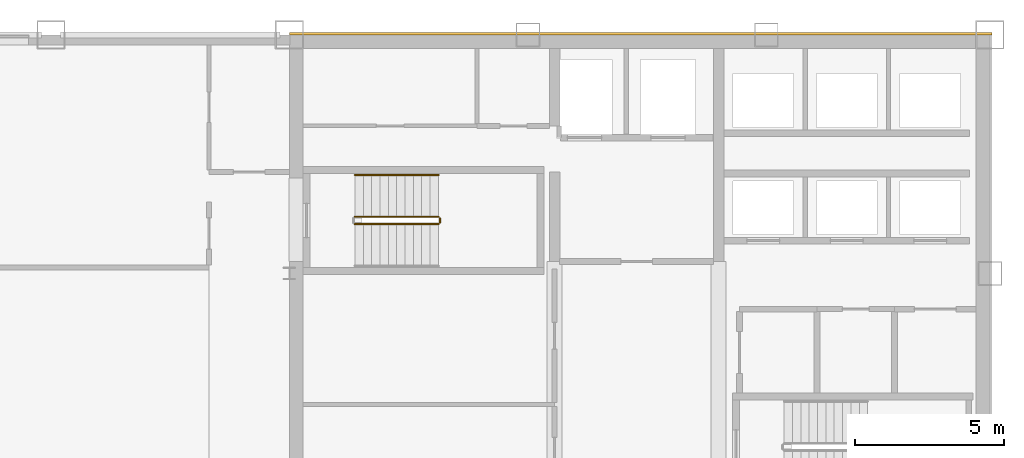
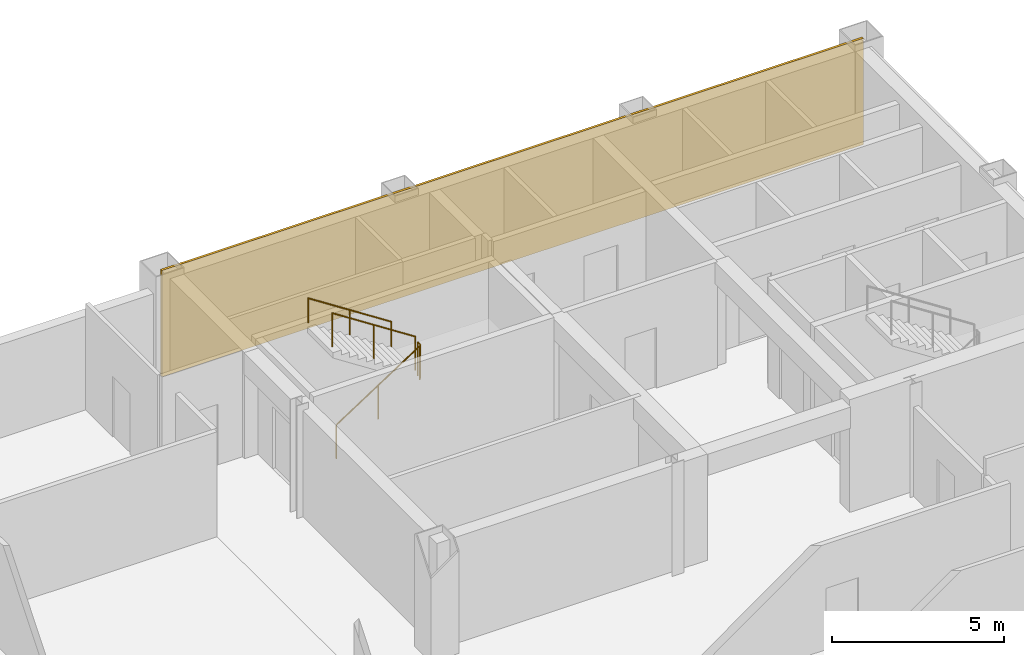
# One storey, part 14 of 14: 4 railings, 1 covering.
"""IFC4 building model written with IfcOpenShell, lengths in metres."""

import ifcopenshell
import ifcopenshell.guid

model = None  # the IFC model being written
_history = None  # IfcOwnerHistory: only IFC2X3 demands one
_inside = {}  # id of a spatial element -> (the spatial element, [elements in it])
_under = {}  # id of a project, library or spatial element -> (it, [spatial elements below it])
_declared = {}  # id of a project -> (the project, [libraries it declares])
_typed = {}  # id of a type object -> (the type object, [elements of that type])
_made_of = {}  # id of a material, layer set ... -> (it, [elements and type objects made of it])


def new_model(schema):
    """Start an empty IFC model of exactly this schema.

    Asked for "IFC4X3", IfcOpenShell would pick the latest addendum, in which some entities
    have other attributes; the version numbers below select the first issue.
    IFC2X3 requires an IfcOwnerHistory on every rooted entity: one is made here for all.
    """
    global model, _history
    if schema == "IFC4X3":
        model = ifcopenshell.file(schema_version=(4, 3, 0, 0))
    else:
        model = ifcopenshell.file(schema=schema)
    _inside.clear()
    _under.clear()
    _declared.clear()
    _typed.clear()
    _made_of.clear()
    _history = None
    if model.schema == "IFC2X3":
        org = make("IfcOrganization", Name="unknown")
        user = make(
            "IfcPersonAndOrganization",
            ThePerson=make("IfcPerson", FamilyName="unknown"),
            TheOrganization=org,
        )
        app = make(
            "IfcApplication",
            ApplicationDeveloper=org,
            Version="unknown",
            ApplicationFullName="unknown",
            ApplicationIdentifier="unknown",
        )
        _history = make(
            "IfcOwnerHistory",
            OwningUser=user,
            OwningApplication=app,
            ChangeAction="ADDED",
            CreationDate=0,
        )
    return model


def make(cls, **values):
    """One entity of the class cls with the attributes given. An attribute that is None is left unset."""
    return model.create_entity(
        cls, **{name: value for name, value in values.items() if value is not None}
    )


def rooted(cls, **values):
    """An entity with a GlobalId (a new one), such as an element, a storey or a relation."""
    return make(cls, GlobalId=ifcopenshell.guid.new(), OwnerHistory=_history, **values)


def si_unit(unit_type, name, prefix=None):
    """IfcSIUnit, for example si_unit("LENGTHUNIT", "METRE", prefix="MILLI")."""
    return make("IfcSIUnit", UnitType=unit_type, Prefix=prefix, Name=name)


def assignment(units):
    """IfcUnitAssignment: the units of a project."""
    return None if units is None else make("IfcUnitAssignment", Units=units)


def point(xyz):
    """IfcCartesianPoint."""
    return None if xyz is None else make("IfcCartesianPoint", Coordinates=xyz)


def direction(xyz):
    """IfcDirection."""
    return None if xyz is None else make("IfcDirection", DirectionRatios=xyz)


def frame(location, z_axis=None, x_axis=None):
    """IfcAxis2Placement3D, a coordinate frame: its origin and axes. An axis left out is left unset."""
    return make(
        "IfcAxis2Placement3D",
        Location=point(location),
        Axis=direction(z_axis),
        RefDirection=direction(x_axis),
    )


def frame_2d(location, x_axis=None):
    """IfcAxis2Placement2D, a coordinate frame in the plane: its origin and x axis."""
    return make(
        "IfcAxis2Placement2D", Location=point(location), RefDirection=direction(x_axis)
    )


def origin():
    """The frame at (0, 0, 0) with its axes left unset."""
    return frame((0.0, 0.0, 0.0))


def origin_2d():
    """The frame at (0, 0) in the plane with its x axis left unset."""
    return frame_2d((0.0, 0.0))


def place(relative_to, where):
    """IfcLocalPlacement: puts the frame where relative to a parent placement (None: the world)."""
    return make(
        "IfcLocalPlacement", PlacementRelTo=relative_to, RelativePlacement=where
    )


def context(
    kind, dimensions, precision=None, world=None, true_north=None, identifier=None
):
    """IfcGeometricRepresentationContext, for example the 3D "Model" context."""
    return make(
        "IfcGeometricRepresentationContext",
        ContextIdentifier=identifier,
        ContextType=kind,
        CoordinateSpaceDimension=dimensions,
        Precision=precision,
        WorldCoordinateSystem=world,
        TrueNorth=true_north,
    )


def subcontext(parent, identifier, kind, view, scale=None):
    """IfcGeometricRepresentationSubContext, for example "Body" below "Model"."""
    return make(
        "IfcGeometricRepresentationSubContext",
        ContextIdentifier=identifier,
        ContextType=kind,
        ParentContext=parent,
        TargetScale=scale,
        TargetView=view,
    )


def project(units=None, contexts=None):
    """IfcProject with its units and contexts."""
    return rooted(
        "IfcProject",
        Name="project",
        RepresentationContexts=contexts,
        UnitsInContext=assignment(units),
    )


def spatial(cls, under=None, at=None, **own):
    """A site, building, storey or space (cls), placed at a placement, below another one or the project."""
    s = rooted(cls, ObjectPlacement=at, **own)
    if under is not None:
        _under.setdefault(under.id(), (under, []))[1].append(s)
    return s


def profile(cls, at=None, kind="AREA", **sizes):
    """A parametric profile (cls). Its sizes go by their IFC names, for example OverallWidth=200.0."""
    return make(cls, ProfileType=kind, Position=at, **sizes)


def rectangle(**sizes):
    """IfcRectangleProfileDef."""
    return profile("IfcRectangleProfileDef", **sizes)


def circle(**sizes):
    """IfcCircleProfileDef."""
    return profile("IfcCircleProfileDef", **sizes)


def extrude(swept, where, along, depth):
    """IfcExtrudedAreaSolid: the profile swept, set in the frame where, extruded along a direction by depth."""
    return make(
        "IfcExtrudedAreaSolid",
        SweptArea=swept,
        Position=where,
        ExtrudedDirection=direction(along),
        Depth=depth,
    )


def shape(context_of_items, identifier, shape_type, items):
    """IfcShapeRepresentation: the items that make up one representation, for example the "Body"."""
    return make(
        "IfcShapeRepresentation",
        ContextOfItems=context_of_items,
        RepresentationIdentifier=identifier,
        RepresentationType=shape_type,
        Items=items,
    )


def material(Name=None, Category=None):
    """IfcMaterial."""
    return make("IfcMaterial", Name=Name, Category=Category)


def layer(
    of_material, thickness, ventilated=None, Name=None, Category=None, Priority=None
):
    """IfcMaterialLayer: one layer of a wall or slab, of a material (None: an air gap)."""
    return make(
        "IfcMaterialLayer",
        Material=of_material,
        LayerThickness=thickness,
        IsVentilated=ventilated,
        Name=Name,
        Category=Category,
        Priority=Priority,
    )


def layer_set(layers, Name=None):
    """IfcMaterialLayerSet."""
    return make("IfcMaterialLayerSet", MaterialLayers=layers, LayerSetName=Name)


def made_of(thing, what):
    """Note that an element or type object is made of a material, layer set ...; save() writes the relation."""
    if what is not None:
        _made_of.setdefault(what.id(), (what, []))[1].append(thing)
    return thing


def type_object(cls, material=None, **own):
    """A type object (cls), such as IfcWallType, which elements share."""
    return made_of(rooted(cls, **own), material)


def element(
    cls,
    number,
    at=None,
    inside=None,
    cuts=None,
    type_object=None,
    material=None,
    context=None,
    identifier="Body",
    shape_type=None,
    held_by="IfcProductDefinitionShape",
    body=None,
    shapes=None,
    **own,
):
    """One element of the class cls, such as IfcWall. Its Tag is "e" and its number.

    at: its placement. inside: the storey or other place that contains it. cuts: it is an
    opening in that element (IfcRelVoidsElement). A single representation is given by context,
    identifier, shape_type and body (its items); several are given by shapes. held_by: the class
    of the entity that holds the representations. save() writes the other relations.
    """
    e = rooted(cls, Tag="e%d" % number, ObjectPlacement=at, **own)
    if body is not None:
        shapes = [shape(context, identifier, shape_type, body)]
    if shapes is not None:
        e.Representation = make(held_by, Representations=shapes)
    if inside is not None:
        _inside.setdefault(inside.id(), (inside, []))[1].append(e)
    if cuts is not None:
        rooted(
            "IfcRelVoidsElement", RelatingBuildingElement=cuts, RelatedOpeningElement=e
        )
    if type_object is not None:
        _typed.setdefault(type_object.id(), (type_object, []))[1].append(e)
    return made_of(e, material)


def aggregate(whole, parts):
    """IfcRelAggregates: a whole, such as a stair, and the parts it consists of."""
    return rooted("IfcRelAggregates", RelatingObject=whole, RelatedObjects=parts)


def save(model, path):
    """Write the relations noted so far, then the file.

    IfcRelAggregates (storeys below a building ...), IfcRelContainedInSpatialStructure (elements
    in a storey), IfcRelDefinesByType, IfcRelAssociatesMaterial and IfcRelDeclares: one each for
    every whole, place, type object, material and project.
    """
    for whole, parts in _under.values():
        aggregate(whole, parts)
    for where, things in _inside.values():
        rooted(
            "IfcRelContainedInSpatialStructure",
            RelatedElements=things,
            RelatingStructure=where,
        )
    for kind, things in _typed.values():
        rooted("IfcRelDefinesByType", RelatedObjects=things, RelatingType=kind)
    for what, things in _made_of.values():
        rooted("IfcRelAssociatesMaterial", RelatedObjects=things, RelatingMaterial=what)
    for by, libraries in _declared.values():
        rooted("IfcRelDeclares", RelatingContext=by, RelatedDefinitions=libraries)
    model.write(path)


model = new_model("IFC4")

# Units and contexts
model_context = context("Model", 3, precision=1e-05, world=origin(), true_north=direction((0.0, 1.0)))
body_context = subcontext(model_context, "Body", "Model", "MODEL_VIEW")
ifc_project = project(units=[si_unit("LENGTHUNIT", "METRE"), si_unit("AREAUNIT", "SQUARE_METRE"), si_unit("VOLUMEUNIT", "CUBIC_METRE"), si_unit("PLANEANGLEUNIT", "RADIAN"), si_unit("MASSUNIT", "GRAM", prefix="KILO")], contexts=[model_context])

# Site, building, storey
site_placement = place(None, origin())
site = spatial("IfcSite", under=ifc_project, at=site_placement, CompositionType="ELEMENT")
building_placement = place(site_placement, origin())
building = spatial("IfcBuilding", under=site, at=building_placement, Name="Qianrong Seaharbour Tower", CompositionType="ELEMENT")
storey_placement = place(building_placement, frame((0.0, 0.0, 209.800048828125)))
storey = spatial("IfcBuildingStorey", under=building, at=storey_placement, Name="L50", CompositionType="ELEMENT", Elevation=209.800048828125)

# Covering
ifc_material_1 = material(Name="Unitised red brick cladding on Precast concrete C45/55", Category="masonry")
ifc_layer = layer(ifc_material_1, 0.080078125)
ifc_layer_set = layer_set([ifc_layer], Name="Unitised red brick cladding on Precast concrete C45/55")
covering_type = type_object("IfcCoveringType", Name="COV-CLAD-RED-BRICK-80", PredefinedType="CLADDING", material=ifc_layer_set)
covering_placement = place(storey_placement, frame((52.2900390625, 52.0400390625, 0.0), z_axis=(0.0, 0.0, 1.0), x_axis=(1.0, 0.0, 0.0)))
element("IfcCovering", 1, at=covering_placement, inside=storey, type_object=covering_type, Name="L50 North Core Brick Veneer Cladding", PredefinedType="CLADDING", context=body_context, shape_type="SweptSolid", body=[
    extrude(rectangle(XDim=23.580078125, YDim=0.080078125, at=origin_2d()), origin(), (0.0, 0.0, 1.0), 3.77490234375),
])

# Railings
ifc_material_2 = material(Name="Galvanized painted steel SN400B stair guard", Category="steel")
railing_type_1 = type_object("IfcRailingType", Name="RAIL-STAIR-GUARD-1220", PredefinedType="GUARDRAIL", material=ifc_material_2)
railing_1_placement = place(storey_placement, frame((42.699951171875, 45.64990234375, 0.181884765625)))
element("IfcRailing", 2, at=railing_1_placement, inside=storey, type_object=railing_type_1, Name="L50 ST-1 stair guard 1", PredefinedType="GUARDRAIL", context=body_context, shape_type="SweptSolid", body=[
    extrude(circle(Radius=0.02392578125, at=origin_2d()), frame((0.0, 0.0, 1.19580078125), z_axis=(0.838705829183, 0.0, 0.544584733623), x_axis=(0.0, 1.0, 0.0)), (0.0, 0.0, 1.0), 3.338623046875),
    extrude(circle(Radius=0.02099609375, at=origin_2d()), origin(), (0.0, 0.0, 1.0), 1.171875),
    extrude(circle(Radius=0.02099609375, at=origin_2d()), frame((1.39990234375, 0.0, 0.9091796875)), (0.0, 0.0, 1.0), 1.171875),
    extrude(circle(Radius=0.02099609375, at=origin_2d()), frame((2.800048828125, 0.0, 1.818115234375)), (0.0, 0.0, 1.0), 1.171875),
])
railing_2_placement = place(storey_placement, frame((45.550048828125, 45.699951171875, 2.0)))
element("IfcRailing", 3, at=railing_2_placement, inside=storey, type_object=railing_type_1, Name="L50 ST-1 stair guard 2", PredefinedType="GUARDRAIL", context=body_context, shape_type="SweptSolid", body=[
    extrude(circle(Radius=0.02392578125, at=origin_2d()), frame((0.0, 0.0, 1.19580078125), z_axis=(0.0, 1.0, 0.0), x_axis=(-1.0, 0.0, 0.0)), (0.0, 0.0, 1.0), 0.150146484375),
    extrude(circle(Radius=0.02099609375, at=origin_2d()), origin(), (0.0, 0.0, 1.0), 1.171875),
    extrude(circle(Radius=0.02099609375, at=origin_2d()), frame((0.0, 0.150146484375, 0.0)), (0.0, 0.0, 1.0), 1.171875),
])
railing_3_placement = place(storey_placement, frame((45.5, 45.89990234375, 2.181884765625)))
element("IfcRailing", 4, at=railing_3_placement, inside=storey, type_object=railing_type_1, Name="L50 ST-1 stair guard 3", PredefinedType="GUARDRAIL", context=body_context, shape_type="SweptSolid", body=[
    extrude(circle(Radius=0.02392578125, at=origin_2d()), frame((0.0, 0.0, 1.19580078125), z_axis=(-0.838705829183, 0.0, 0.544584733623), x_axis=(0.0, -1.0, 0.0)), (0.0, 0.0, 1.0), 3.338623046875),
    extrude(circle(Radius=0.02099609375, at=origin_2d()), origin(), (0.0, 0.0, 1.0), 1.171875),
    extrude(circle(Radius=0.02099609375, at=origin_2d()), frame((-1.39990234375, 0.0, 0.9091796875)), (0.0, 0.0, 1.0), 1.171875),
    extrude(circle(Radius=0.02099609375, at=origin_2d()), frame((-2.800048828125, 0.0, 1.818115234375)), (0.0, 0.0, 1.0), 1.171875),
])
ifc_material_3 = material(Name="Stainless steel SUS316L continuous handrail", Category="steel")
railing_type_2 = type_object("IfcRailingType", Name="RAIL-STAIR-HANDRAIL-900", PredefinedType="HANDRAIL", material=ifc_material_3)
railing_4_placement = place(storey_placement, frame((45.5, 47.300048828125, 2.181884765625)))
element("IfcRailing", 5, at=railing_4_placement, inside=storey, type_object=railing_type_2, Name="L50 ST-1 stair handrail 2", PredefinedType="HANDRAIL", context=body_context, shape_type="SweptSolid", body=[
    extrude(circle(Radius=0.02392578125, at=origin_2d()), frame((0.0, 0.0, 0.8759765625), z_axis=(-0.838705829183, 0.0, 0.544584733623), x_axis=(0.0, -1.0, 0.0)), (0.0, 0.0, 1.0), 3.338623046875),
    extrude(circle(Radius=0.02099609375, at=origin_2d()), origin(), (0.0, 0.0, 1.0), 0.851806640625),
    extrude(circle(Radius=0.02099609375, at=origin_2d()), frame((-1.39990234375, 0.0, 0.9091796875)), (0.0, 0.0, 1.0), 0.851806640625),
    extrude(circle(Radius=0.02099609375, at=origin_2d()), frame((-2.800048828125, 0.0, 1.818115234375)), (0.0, 0.0, 1.0), 0.851806640625),
])

save(model, "model.ifc")
